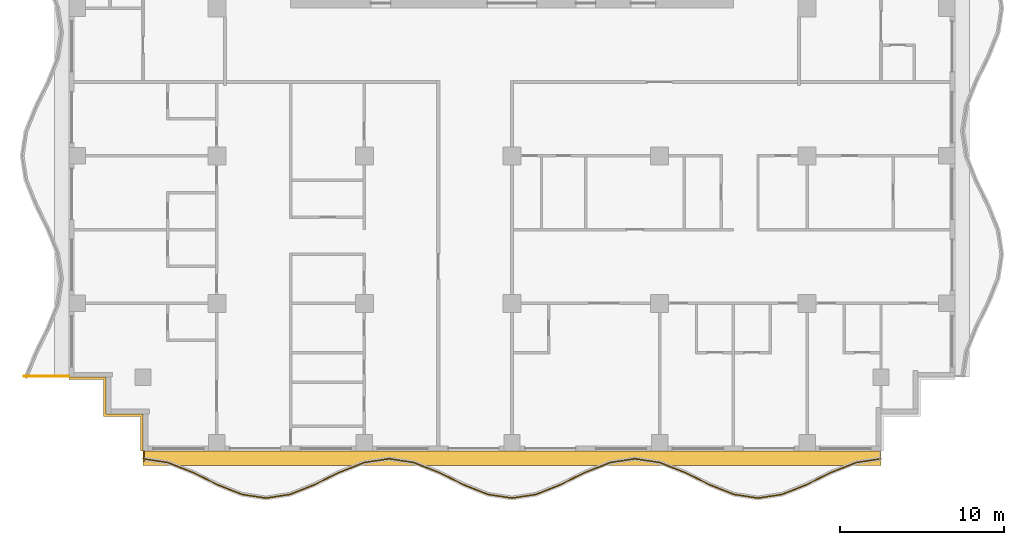
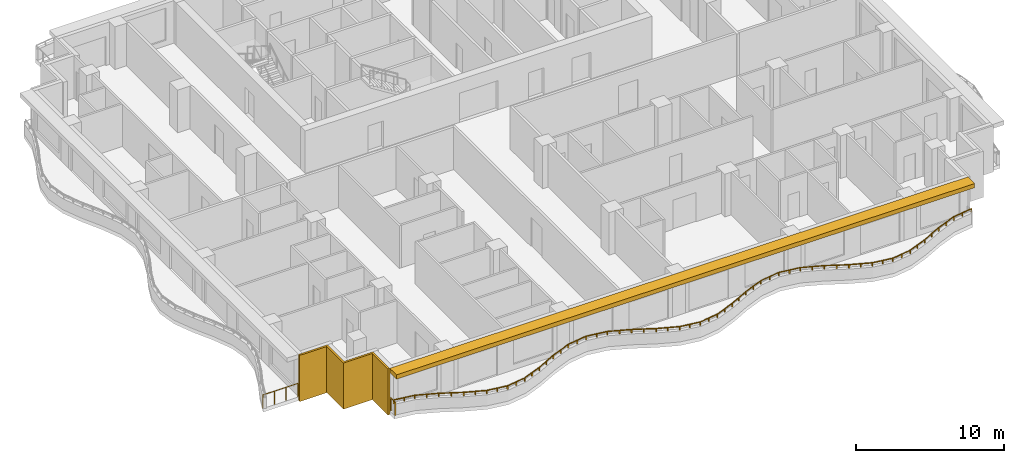
# One storey, part 8 of 12: 3 railings, 2 shading devices.
"""IFC4 building model written with IfcOpenShell, lengths in metres."""

from ifc_helpers import new_model, si_unit, direction, frame, origin, origin_2d, place, context, subcontext, project, spatial, polyline, rectangle, outline, extrude, material, layer, layer_set, type_object, element, save


model = new_model("IFC4")

# Units and contexts
model_context = context("Model", 3, precision=1e-05, world=origin(), true_north=direction((0.0, 1.0)))
body_context = subcontext(model_context, "Body", "Model", "MODEL_VIEW")
ifc_project = project(units=[si_unit("LENGTHUNIT", "METRE"), si_unit("AREAUNIT", "SQUARE_METRE"), si_unit("VOLUMEUNIT", "CUBIC_METRE"), si_unit("PLANEANGLEUNIT", "RADIAN"), si_unit("MASSUNIT", "GRAM", prefix="KILO")], contexts=[model_context])

# Site, building, storey
site_placement = place(None, origin())
site = spatial("IfcSite", under=ifc_project, at=site_placement, CompositionType="ELEMENT")
building_placement = place(site_placement, origin())
building = spatial("IfcBuilding", under=site, at=building_placement, Name="Orbiselva Terraces", CompositionType="ELEMENT")
storey_placement = place(building_placement, frame((0.0, 0.0, 203.4)))
storey = spatial("IfcBuildingStorey", under=building, at=storey_placement, Name="L51", CompositionType="ELEMENT", Elevation=203.4)

# Railings
ifc_material_1 = material(Name="Bonded two-ply safety glass balustrade, stainless steel posts", Category="steel")
railing_type_1 = type_object("IfcRailingType", Name="ENV-BALUSTRADE-1200", PredefinedType="BALUSTRADE", material=ifc_material_1)
railing_1_placement = place(storey_placement, frame((-22.481121, -22.976434, 0.9)))
element("IfcRailing", 1, at=railing_1_placement, inside=storey, type_object=railing_type_1, Name="Balcony balustrade L51 S", PredefinedType="BALUSTRADE", context=body_context, shape_type="SweptSolid", body=[
    extrude(outline(polyline([(0.028868, 0.0), (0.014434, 0.025), (-0.014434, 0.025), (-0.028868, 0.0), (-0.014434, -0.025), (0.014434, -0.025), (0.028868, 0.0)])), frame((0.0, 0.0, 0.275), z_axis=(0.988528588529, -0.151033869252, 0.0), x_axis=(0.151033869252, 0.988528588529, 0.0)), (0.0, 0.0, 1.0), 1.531776),
    extrude(outline(polyline([(0.028868, 0.0), (0.014434, 0.025), (-0.014434, 0.025), (-0.028868, 0.0), (-0.014434, -0.025), (0.014434, -0.025), (0.028868, 0.0)])), frame((1.514204, -0.23135, 0.275), z_axis=(0.92847681744, -0.371390359967, 0.0), x_axis=(0.371390359967, 0.92847681744, 0.0)), (0.0, 0.0, 1.0), 1.634838),
    extrude(outline(polyline([(0.028868, 0.0), (0.014434, 0.025), (-0.014434, 0.025), (-0.028868, 0.0), (-0.014434, -0.025), (0.014434, -0.025), (0.028868, 0.0)])), frame((3.032113, -0.838513, 0.275), z_axis=(0.896416672454, -0.443212307306, 0.0), x_axis=(0.443212307306, 0.896416672454, 0.0)), (0.0, 0.0, 1.0), 1.673329),
    extrude(outline(polyline([(0.028868, 0.0), (0.014434, 0.025), (-0.014434, 0.025), (-0.028868, 0.0), (-0.014434, -0.025), (0.014434, -0.025), (0.028868, 0.0)])), frame((4.532113, -1.580153, 0.275), z_axis=(0.928476561272, -0.371391000387, 0.0), x_axis=(0.371391000387, 0.928476561272, 0.0)), (0.0, 0.0, 1.0), 1.596261),
    extrude(outline(polyline([(0.028868, 0.0), (0.014434, 0.025), (-0.014434, 0.025), (-0.028868, 0.0), (-0.014434, -0.025), (0.014434, -0.025), (0.028868, 0.0)])), frame((6.014204, -2.17299, 0.275), z_axis=(0.988528606898, -0.151033749027, 0.0), x_axis=(0.151033749027, 0.988528606898, 0.0)), (0.0, 0.0, 1.0), 1.48394),
    extrude(outline(polyline([(0.028868, 0.0), (0.014434, 0.025), (-0.014434, 0.025), (-0.028868, 0.0), (-0.014434, -0.025), (0.014434, -0.025), (0.028868, 0.0)])), frame((7.481121, -2.397115, 0.275), z_axis=(0.988528606898, 0.151033749027, 0.0), x_axis=(-0.151033749027, 0.988528606898, 0.0)), (0.0, 0.0, 1.0), 1.48394),
    extrude(outline(polyline([(0.028868, 0.0), (0.014434, 0.025), (-0.014434, 0.025), (-0.028868, 0.0), (-0.014434, -0.025), (0.014434, -0.025), (0.028868, 0.0)])), frame((8.948038, -2.17299, 0.275), z_axis=(0.928476561272, 0.371391000387, 0.0), x_axis=(-0.371391000387, 0.928476561272, 0.0)), (0.0, 0.0, 1.0), 1.596261),
    extrude(outline(polyline([(0.028868, 0.0), (0.014434, 0.025), (-0.014434, 0.025), (-0.028868, 0.0), (-0.014434, -0.025), (0.014434, -0.025), (0.028868, 0.0)])), frame((10.430129, -1.580153, 0.275), z_axis=(0.896416672454, 0.443212307306, 0.0), x_axis=(-0.443212307306, 0.896416672454, 0.0)), (0.0, 0.0, 1.0), 1.673329),
    extrude(outline(polyline([(0.028868, 0.0), (0.014434, 0.025), (-0.014434, 0.025), (-0.028868, 0.0), (-0.014434, -0.025), (0.014434, -0.025), (0.028868, 0.0)])), frame((11.930129, -0.838513, 0.275), z_axis=(0.92847681744, 0.371390359967, 0.0), x_axis=(-0.371390359967, 0.92847681744, 0.0)), (0.0, 0.0, 1.0), 1.634838),
    extrude(outline(polyline([(0.028868, 0.0), (0.014434, 0.025), (-0.014434, 0.025), (-0.028868, 0.0), (-0.014434, -0.025), (0.014434, -0.025), (0.028868, 0.0)])), frame((13.448038, -0.23135, 0.275), z_axis=(0.988528536275, 0.151034211256, 0.0), x_axis=(-0.151034211256, 0.988528536275, 0.0)), (0.0, 0.0, 1.0), 1.550874),
    extrude(outline(polyline([(0.028868, 0.0), (0.014434, 0.025), (-0.014434, 0.025), (-0.028868, 0.0), (-0.014434, -0.025), (0.014434, -0.025), (0.028868, 0.0)])), frame((14.981121, 0.002885, 0.275), z_axis=(0.988528536275, -0.151034211256, 0.0), x_axis=(0.151034211256, 0.988528536275, 0.0)), (0.0, 0.0, 1.0), 1.550874),
    extrude(outline(polyline([(0.028868, 0.0), (0.014434, 0.025), (-0.014434, 0.025), (-0.028868, 0.0), (-0.014434, -0.025), (0.014434, -0.025), (0.028868, 0.0)])), frame((16.514204, -0.23135, 0.275), z_axis=(0.92847681744, -0.371390359967, 0.0), x_axis=(0.371390359967, 0.92847681744, 0.0)), (0.0, 0.0, 1.0), 1.634838),
    extrude(outline(polyline([(0.028868, 0.0), (0.014434, 0.025), (-0.014434, 0.025), (-0.028868, 0.0), (-0.014434, -0.025), (0.014434, -0.025), (0.028868, 0.0)])), frame((18.032113, -0.838513, 0.275), z_axis=(0.896416672454, -0.443212307306, 0.0), x_axis=(0.443212307306, 0.896416672454, 0.0)), (0.0, 0.0, 1.0), 1.673329),
    extrude(outline(polyline([(0.028868, 0.0), (0.014434, 0.025), (-0.014434, 0.025), (-0.028868, 0.0), (-0.014434, -0.025), (0.014434, -0.025), (0.028868, 0.0)])), frame((19.532113, -1.580153, 0.275), z_axis=(0.928476561272, -0.371391000387, 0.0), x_axis=(0.371391000387, 0.928476561272, 0.0)), (0.0, 0.0, 1.0), 1.596261),
    extrude(outline(polyline([(0.028868, 0.0), (0.014434, 0.025), (-0.014434, 0.025), (-0.028868, 0.0), (-0.014434, -0.025), (0.014434, -0.025), (0.028868, 0.0)])), frame((21.014204, -2.17299, 0.275), z_axis=(0.988528606898, -0.151033749027, 0.0), x_axis=(0.151033749027, 0.988528606898, 0.0)), (0.0, 0.0, 1.0), 1.48394),
    extrude(outline(polyline([(0.028868, 0.0), (0.014434, 0.025), (-0.014434, 0.025), (-0.028868, 0.0), (-0.014434, -0.025), (0.014434, -0.025), (0.028868, 0.0)])), frame((22.481121, -2.397115, 0.275), z_axis=(0.988528606898, 0.151033749027, 0.0), x_axis=(-0.151033749027, 0.988528606898, 0.0)), (0.0, 0.0, 1.0), 1.48394),
    extrude(outline(polyline([(0.028868, 0.0), (0.014434, 0.025), (-0.014434, 0.025), (-0.028868, 0.0), (-0.014434, -0.025), (0.014434, -0.025), (0.028868, 0.0)])), frame((23.948038, -2.17299, 0.275), z_axis=(0.928476561272, 0.371391000387, 0.0), x_axis=(-0.371391000387, 0.928476561272, 0.0)), (0.0, 0.0, 1.0), 1.596261),
    extrude(outline(polyline([(0.028868, 0.0), (0.014434, 0.025), (-0.014434, 0.025), (-0.028868, 0.0), (-0.014434, -0.025), (0.014434, -0.025), (0.028868, 0.0)])), frame((25.430129, -1.580153, 0.275), z_axis=(0.896416672454, 0.443212307306, 0.0), x_axis=(-0.443212307306, 0.896416672454, 0.0)), (0.0, 0.0, 1.0), 1.673329),
    extrude(outline(polyline([(0.028868, 0.0), (0.014434, 0.025), (-0.014434, 0.025), (-0.028868, 0.0), (-0.014434, -0.025), (0.014434, -0.025), (0.028868, 0.0)])), frame((26.930129, -0.838513, 0.275), z_axis=(0.92847681744, 0.371390359967, 0.0), x_axis=(-0.371390359967, 0.92847681744, 0.0)), (0.0, 0.0, 1.0), 1.634838),
    extrude(outline(polyline([(0.028868, 0.0), (0.014434, 0.025), (-0.014434, 0.025), (-0.028868, 0.0), (-0.014434, -0.025), (0.014434, -0.025), (0.028868, 0.0)])), frame((28.448038, -0.23135, 0.275), z_axis=(0.988528536275, 0.151034211256, 0.0), x_axis=(-0.151034211256, 0.988528536275, 0.0)), (0.0, 0.0, 1.0), 1.550874),
    extrude(outline(polyline([(0.028868, 0.0), (0.014434, 0.025), (-0.014434, 0.025), (-0.028868, 0.0), (-0.014434, -0.025), (0.014434, -0.025), (0.028868, 0.0)])), frame((29.981121, 0.002885, 0.275), z_axis=(0.988528536275, -0.151034211256, 0.0), x_axis=(0.151034211256, 0.988528536275, 0.0)), (0.0, 0.0, 1.0), 1.550874),
    extrude(outline(polyline([(0.028868, 0.0), (0.014434, 0.025), (-0.014434, 0.025), (-0.028868, 0.0), (-0.014434, -0.025), (0.014434, -0.025), (0.028868, 0.0)])), frame((31.514204, -0.23135, 0.275), z_axis=(0.92847681744, -0.371390359967, 0.0), x_axis=(0.371390359967, 0.92847681744, 0.0)), (0.0, 0.0, 1.0), 1.634838),
    extrude(outline(polyline([(0.028868, 0.0), (0.014434, 0.025), (-0.014434, 0.025), (-0.028868, 0.0), (-0.014434, -0.025), (0.014434, -0.025), (0.028868, 0.0)])), frame((33.032113, -0.838513, 0.275), z_axis=(0.896416672454, -0.443212307306, 0.0), x_axis=(0.443212307306, 0.896416672454, 0.0)), (0.0, 0.0, 1.0), 1.673329),
    extrude(outline(polyline([(0.028868, 0.0), (0.014434, 0.025), (-0.014434, 0.025), (-0.028868, 0.0), (-0.014434, -0.025), (0.014434, -0.025), (0.028868, 0.0)])), frame((34.532113, -1.580153, 0.275), z_axis=(0.928476561272, -0.371391000387, 0.0), x_axis=(0.371391000387, 0.928476561272, 0.0)), (0.0, 0.0, 1.0), 1.596261),
    extrude(outline(polyline([(0.028868, 0.0), (0.014434, 0.025), (-0.014434, 0.025), (-0.028868, 0.0), (-0.014434, -0.025), (0.014434, -0.025), (0.028868, 0.0)])), frame((36.014204, -2.17299, 0.275), z_axis=(0.988528606898, -0.151033749027, 0.0), x_axis=(0.151033749027, 0.988528606898, 0.0)), (0.0, 0.0, 1.0), 1.48394),
    extrude(outline(polyline([(0.028868, 0.0), (0.014434, 0.025), (-0.014434, 0.025), (-0.028868, 0.0), (-0.014434, -0.025), (0.014434, -0.025), (0.028868, 0.0)])), frame((37.481121, -2.397115, 0.275), z_axis=(0.988528606898, 0.151033749027, 0.0), x_axis=(-0.151033749027, 0.988528606898, 0.0)), (0.0, 0.0, 1.0), 1.48394),
    extrude(outline(polyline([(0.028868, 0.0), (0.014434, 0.025), (-0.014434, 0.025), (-0.028868, 0.0), (-0.014434, -0.025), (0.014434, -0.025), (0.028868, 0.0)])), frame((38.948038, -2.17299, 0.275), z_axis=(0.928476561272, 0.371391000387, 0.0), x_axis=(-0.371391000387, 0.928476561272, 0.0)), (0.0, 0.0, 1.0), 1.596261),
    extrude(outline(polyline([(0.028868, 0.0), (0.014434, 0.025), (-0.014434, 0.025), (-0.028868, 0.0), (-0.014434, -0.025), (0.014434, -0.025), (0.028868, 0.0)])), frame((40.430129, -1.580153, 0.275), z_axis=(0.896416672454, 0.443212307306, 0.0), x_axis=(-0.443212307306, 0.896416672454, 0.0)), (0.0, 0.0, 1.0), 1.673329),
    extrude(outline(polyline([(0.028868, 0.0), (0.014434, 0.025), (-0.014434, 0.025), (-0.028868, 0.0), (-0.014434, -0.025), (0.014434, -0.025), (0.028868, 0.0)])), frame((41.930129, -0.838513, 0.275), z_axis=(0.92847681744, 0.371390359967, 0.0), x_axis=(-0.371390359967, 0.92847681744, 0.0)), (0.0, 0.0, 1.0), 1.634838),
    extrude(outline(polyline([(0.028868, 0.0), (0.014434, 0.025), (-0.014434, 0.025), (-0.028868, 0.0), (-0.014434, -0.025), (0.014434, -0.025), (0.028868, 0.0)])), frame((43.448038, -0.23135, 0.275), z_axis=(0.988528588529, 0.151033869252, 0.0), x_axis=(-0.151033869252, 0.988528588529, 0.0)), (0.0, 0.0, 1.0), 1.531776),
    extrude(rectangle(XDim=0.05, YDim=0.05, at=origin_2d()), origin(), (0.0, 0.0, 1.0), 0.25),
    extrude(rectangle(XDim=0.05, YDim=0.05, at=origin_2d()), frame((0.757102, -0.115675, 0.0)), (0.0, 0.0, 1.0), 0.25),
    extrude(rectangle(XDim=0.05, YDim=0.05, at=origin_2d()), frame((1.514204, -0.23135, 0.0)), (0.0, 0.0, 1.0), 0.25),
    extrude(rectangle(XDim=0.05, YDim=0.05, at=origin_2d()), frame((2.273159, -0.534931, 0.0)), (0.0, 0.0, 1.0), 0.25),
    extrude(rectangle(XDim=0.05, YDim=0.05, at=origin_2d()), frame((3.032113, -0.838513, 0.0)), (0.0, 0.0, 1.0), 0.25),
    extrude(rectangle(XDim=0.05, YDim=0.05, at=origin_2d()), frame((3.782113, -1.209333, 0.0)), (0.0, 0.0, 1.0), 0.25),
    extrude(rectangle(XDim=0.05, YDim=0.05, at=origin_2d()), frame((4.532113, -1.580153, 0.0)), (0.0, 0.0, 1.0), 0.25),
    extrude(rectangle(XDim=0.05, YDim=0.05, at=origin_2d()), frame((5.273159, -1.876571, 0.0)), (0.0, 0.0, 1.0), 0.25),
    extrude(rectangle(XDim=0.05, YDim=0.05, at=origin_2d()), frame((6.014204, -2.17299, 0.0)), (0.0, 0.0, 1.0), 0.25),
    extrude(rectangle(XDim=0.05, YDim=0.05, at=origin_2d()), frame((6.747663, -2.285052, 0.0)), (0.0, 0.0, 1.0), 0.25),
    extrude(rectangle(XDim=0.05, YDim=0.05, at=origin_2d()), frame((7.481121, -2.397115, 0.0)), (0.0, 0.0, 1.0), 0.25),
    extrude(rectangle(XDim=0.05, YDim=0.05, at=origin_2d()), frame((8.21458, -2.285052, 0.0)), (0.0, 0.0, 1.0), 0.25),
    extrude(rectangle(XDim=0.05, YDim=0.05, at=origin_2d()), frame((8.948038, -2.17299, 0.0)), (0.0, 0.0, 1.0), 0.25),
    extrude(rectangle(XDim=0.05, YDim=0.05, at=origin_2d()), frame((9.689084, -1.876571, 0.0)), (0.0, 0.0, 1.0), 0.25),
    extrude(rectangle(XDim=0.05, YDim=0.05, at=origin_2d()), frame((10.430129, -1.580153, 0.0)), (0.0, 0.0, 1.0), 0.25),
    extrude(rectangle(XDim=0.05, YDim=0.05, at=origin_2d()), frame((11.180129, -1.209333, 0.0)), (0.0, 0.0, 1.0), 0.25),
    extrude(rectangle(XDim=0.05, YDim=0.05, at=origin_2d()), frame((11.930129, -0.838513, 0.0)), (0.0, 0.0, 1.0), 0.25),
    extrude(rectangle(XDim=0.05, YDim=0.05, at=origin_2d()), frame((12.689084, -0.534931, 0.0)), (0.0, 0.0, 1.0), 0.25),
    extrude(rectangle(XDim=0.05, YDim=0.05, at=origin_2d()), frame((13.448038, -0.23135, 0.0)), (0.0, 0.0, 1.0), 0.25),
    extrude(rectangle(XDim=0.05, YDim=0.05, at=origin_2d()), frame((14.21458, -0.114232, 0.0)), (0.0, 0.0, 1.0), 0.25),
    extrude(rectangle(XDim=0.05, YDim=0.05, at=origin_2d()), frame((14.981121, 0.002885, 0.0)), (0.0, 0.0, 1.0), 0.25),
    extrude(rectangle(XDim=0.05, YDim=0.05, at=origin_2d()), frame((15.747663, -0.114232, 0.0)), (0.0, 0.0, 1.0), 0.25),
    extrude(rectangle(XDim=0.05, YDim=0.05, at=origin_2d()), frame((16.514204, -0.23135, 0.0)), (0.0, 0.0, 1.0), 0.25),
    extrude(rectangle(XDim=0.05, YDim=0.05, at=origin_2d()), frame((17.273158, -0.534931, 0.0)), (0.0, 0.0, 1.0), 0.25),
    extrude(rectangle(XDim=0.05, YDim=0.05, at=origin_2d()), frame((18.032113, -0.838513, 0.0)), (0.0, 0.0, 1.0), 0.25),
    extrude(rectangle(XDim=0.05, YDim=0.05, at=origin_2d()), frame((18.782113, -1.209333, 0.0)), (0.0, 0.0, 1.0), 0.25),
    extrude(rectangle(XDim=0.05, YDim=0.05, at=origin_2d()), frame((19.532113, -1.580153, 0.0)), (0.0, 0.0, 1.0), 0.25),
    extrude(rectangle(XDim=0.05, YDim=0.05, at=origin_2d()), frame((20.273158, -1.876571, 0.0)), (0.0, 0.0, 1.0), 0.25),
    extrude(rectangle(XDim=0.05, YDim=0.05, at=origin_2d()), frame((21.014204, -2.17299, 0.0)), (0.0, 0.0, 1.0), 0.25),
    extrude(rectangle(XDim=0.05, YDim=0.05, at=origin_2d()), frame((21.747663, -2.285052, 0.0)), (0.0, 0.0, 1.0), 0.25),
    extrude(rectangle(XDim=0.05, YDim=0.05, at=origin_2d()), frame((22.481121, -2.397115, 0.0)), (0.0, 0.0, 1.0), 0.25),
    extrude(rectangle(XDim=0.05, YDim=0.05, at=origin_2d()), frame((23.21458, -2.285052, 0.0)), (0.0, 0.0, 1.0), 0.25),
    extrude(rectangle(XDim=0.05, YDim=0.05, at=origin_2d()), frame((23.948038, -2.17299, 0.0)), (0.0, 0.0, 1.0), 0.25),
    extrude(rectangle(XDim=0.05, YDim=0.05, at=origin_2d()), frame((24.689084, -1.876571, 0.0)), (0.0, 0.0, 1.0), 0.25),
    extrude(rectangle(XDim=0.05, YDim=0.05, at=origin_2d()), frame((25.430129, -1.580153, 0.0)), (0.0, 0.0, 1.0), 0.25),
    extrude(rectangle(XDim=0.05, YDim=0.05, at=origin_2d()), frame((26.180129, -1.209333, 0.0)), (0.0, 0.0, 1.0), 0.25),
    extrude(rectangle(XDim=0.05, YDim=0.05, at=origin_2d()), frame((26.930129, -0.838513, 0.0)), (0.0, 0.0, 1.0), 0.25),
    extrude(rectangle(XDim=0.05, YDim=0.05, at=origin_2d()), frame((27.689084, -0.534931, 0.0)), (0.0, 0.0, 1.0), 0.25),
    extrude(rectangle(XDim=0.05, YDim=0.05, at=origin_2d()), frame((28.448038, -0.23135, 0.0)), (0.0, 0.0, 1.0), 0.25),
    extrude(rectangle(XDim=0.05, YDim=0.05, at=origin_2d()), frame((29.21458, -0.114232, 0.0)), (0.0, 0.0, 1.0), 0.25),
    extrude(rectangle(XDim=0.05, YDim=0.05, at=origin_2d()), frame((29.981121, 0.002885, 0.0)), (0.0, 0.0, 1.0), 0.25),
    extrude(rectangle(XDim=0.05, YDim=0.05, at=origin_2d()), frame((30.747662, -0.114232, 0.0)), (0.0, 0.0, 1.0), 0.25),
    extrude(rectangle(XDim=0.05, YDim=0.05, at=origin_2d()), frame((31.514204, -0.23135, 0.0)), (0.0, 0.0, 1.0), 0.25),
    extrude(rectangle(XDim=0.05, YDim=0.05, at=origin_2d()), frame((32.273158, -0.534931, 0.0)), (0.0, 0.0, 1.0), 0.25),
    extrude(rectangle(XDim=0.05, YDim=0.05, at=origin_2d()), frame((33.032113, -0.838513, 0.0)), (0.0, 0.0, 1.0), 0.25),
    extrude(rectangle(XDim=0.05, YDim=0.05, at=origin_2d()), frame((33.782113, -1.209333, 0.0)), (0.0, 0.0, 1.0), 0.25),
    extrude(rectangle(XDim=0.05, YDim=0.05, at=origin_2d()), frame((34.532113, -1.580153, 0.0)), (0.0, 0.0, 1.0), 0.25),
    extrude(rectangle(XDim=0.05, YDim=0.05, at=origin_2d()), frame((35.273158, -1.876571, 0.0)), (0.0, 0.0, 1.0), 0.25),
    extrude(rectangle(XDim=0.05, YDim=0.05, at=origin_2d()), frame((36.014204, -2.17299, 0.0)), (0.0, 0.0, 1.0), 0.25),
    extrude(rectangle(XDim=0.05, YDim=0.05, at=origin_2d()), frame((36.747663, -2.285052, 0.0)), (0.0, 0.0, 1.0), 0.25),
    extrude(rectangle(XDim=0.05, YDim=0.05, at=origin_2d()), frame((37.481121, -2.397115, 0.0)), (0.0, 0.0, 1.0), 0.25),
    extrude(rectangle(XDim=0.05, YDim=0.05, at=origin_2d()), frame((38.21458, -2.285052, 0.0)), (0.0, 0.0, 1.0), 0.25),
    extrude(rectangle(XDim=0.05, YDim=0.05, at=origin_2d()), frame((38.948038, -2.17299, 0.0)), (0.0, 0.0, 1.0), 0.25),
    extrude(rectangle(XDim=0.05, YDim=0.05, at=origin_2d()), frame((39.689083, -1.876571, 0.0)), (0.0, 0.0, 1.0), 0.25),
    extrude(rectangle(XDim=0.05, YDim=0.05, at=origin_2d()), frame((40.430129, -1.580153, 0.0)), (0.0, 0.0, 1.0), 0.25),
    extrude(rectangle(XDim=0.05, YDim=0.05, at=origin_2d()), frame((41.180129, -1.209333, 0.0)), (0.0, 0.0, 1.0), 0.25),
    extrude(rectangle(XDim=0.05, YDim=0.05, at=origin_2d()), frame((41.930129, -0.838513, 0.0)), (0.0, 0.0, 1.0), 0.25),
    extrude(rectangle(XDim=0.05, YDim=0.05, at=origin_2d()), frame((42.689083, -0.534931, 0.0)), (0.0, 0.0, 1.0), 0.25),
    extrude(rectangle(XDim=0.05, YDim=0.05, at=origin_2d()), frame((43.448038, -0.23135, 0.0)), (0.0, 0.0, 1.0), 0.25),
    extrude(rectangle(XDim=0.05, YDim=0.05, at=origin_2d()), frame((44.20514, -0.115675, 0.0)), (0.0, 0.0, 1.0), 0.25),
    extrude(rectangle(XDim=0.05, YDim=0.05, at=origin_2d()), frame((44.962242, 0.0, 0.0)), (0.0, 0.0, 1.0), 0.25),
])
ifc_material_2 = material(Name="Stainless steel rail and posts", Category="steel")
railing_type_2 = type_object("IfcRailingType", Name="ENV-GUARD-1105", PredefinedType="BALUSTRADE", material=ifc_material_2)
railing_2_placement = place(storey_placement, frame((-22.44, -23.100379, 0.0)))
element("IfcRailing", 2, at=railing_2_placement, inside=storey, type_object=railing_type_2, Name="Balcony end guard L51 S", PredefinedType="BALUSTRADE", context=body_context, shape_type="SweptSolid", body=[
    extrude(outline(polyline([(0.028868, 0.0), (0.014434, 0.025), (-0.014434, 0.025), (-0.028868, 0.0), (-0.014434, -0.025), (0.014434, -0.025), (0.028868, 0.0)])), frame((0.0, 0.0, 1.08), z_axis=(0.0, 1.0, 0.0), x_axis=(-1.0, 0.0, 0.0)), (0.0, 0.0, 1.0), 0.575379),
    extrude(rectangle(XDim=0.05, YDim=0.05, at=origin_2d()), origin(), (0.0, 0.0, 1.0), 1.055),
    extrude(rectangle(XDim=0.05, YDim=0.05, at=origin_2d()), frame((0.0, 0.575379, 0.0)), (0.0, 0.0, 1.0), 1.055),
])
railing_3_placement = place(storey_placement, frame((-29.752788, -17.94, 0.0)))
element("IfcRailing", 3, at=railing_3_placement, inside=storey, type_object=railing_type_2, Name="Balcony end guard L51 W", PredefinedType="BALUSTRADE", context=body_context, shape_type="SweptSolid", body=[
    extrude(outline(polyline([(0.028868, 0.0), (0.014434, 0.025), (-0.014434, 0.025), (-0.028868, 0.0), (-0.014434, -0.025), (0.014434, -0.025), (0.028868, 0.0)])), frame((0.0, 0.0, 1.08), z_axis=(1.0, 0.0, 0.0), x_axis=(0.0, 1.0, 0.0)), (0.0, 0.0, 1.0), 2.727788),
    extrude(rectangle(XDim=0.05, YDim=0.05, at=origin_2d()), origin(), (0.0, 0.0, 1.0), 1.055),
    extrude(rectangle(XDim=0.05, YDim=0.05, at=origin_2d()), frame((0.909263, 0.0, 0.0)), (0.0, 0.0, 1.0), 1.055),
    extrude(rectangle(XDim=0.05, YDim=0.05, at=origin_2d()), frame((1.818525, 0.0, 0.0)), (0.0, 0.0, 1.0), 1.055),
    extrude(rectangle(XDim=0.05, YDim=0.05, at=origin_2d()), frame((2.727788, 0.0, 0.0)), (0.0, 0.0, 1.0), 1.055),
])

# Shading devices
ifc_material_3 = material(Name="Terracotta louvre screen", Category="masonry")
ifc_layer_1 = layer(ifc_material_3, 0.15)
ifc_layer_set_1 = layer_set([ifc_layer_1], Name="Terracotta louvre screen")
shading_device_type_1 = type_object("IfcShadingDeviceType", Name="ENV-SCREEN-150", PredefinedType="USERDEFINED", material=ifc_layer_set_1)
shading_device_1_placement = place(storey_placement, frame((0.0, 0.0, -0.3)))
element("IfcShadingDevice", 4, at=shading_device_1_placement, inside=storey, type_object=shading_device_type_1, Name="Louvre screen L51 SW", ObjectType="SCREEN", PredefinedType="USERDEFINED", context=body_context, shape_type="SweptSolid", body=[
    extrude(outline(polyline([(-27.0, -18.15), (-24.9, -18.15), (-24.9, -20.4), (-22.65, -20.4), (-22.65, -22.5), (-22.5, -22.5), (-22.5, -20.25), (-24.75, -20.25), (-24.75, -18.0), (-27.0, -18.0), (-27.0, -18.15)])), origin(), (0.0, 0.0, 1.0), 3.8),
])
ifc_material_4 = material(Name="Terracotta baguette sunshade", Category="masonry")
ifc_layer_2 = layer(ifc_material_4, 0.35)
ifc_layer_set_2 = layer_set([ifc_layer_2], Name="Terracotta baguette sunshade")
shading_device_type_2 = type_object("IfcShadingDeviceType", Name="ENV-SUNSHADE-900x350", PredefinedType="USERDEFINED", material=ifc_layer_set_2)
shading_device_2_placement = place(storey_placement, frame((0.0, 0.0, 3.15)))
element("IfcShadingDevice", 5, at=shading_device_2_placement, inside=storey, type_object=shading_device_type_2, Name="Sunshade band L51 S", ObjectType="SUNSHADE", PredefinedType="USERDEFINED", context=body_context, shape_type="SweptSolid", body=[
    extrude(outline(polyline([(-22.5, -23.4), (22.5, -23.4), (22.5, -22.5), (-22.5, -22.5), (-22.5, -23.4)])), origin(), (0.0, 0.0, 1.0), 0.35),
])

save(model, "model.ifc")
